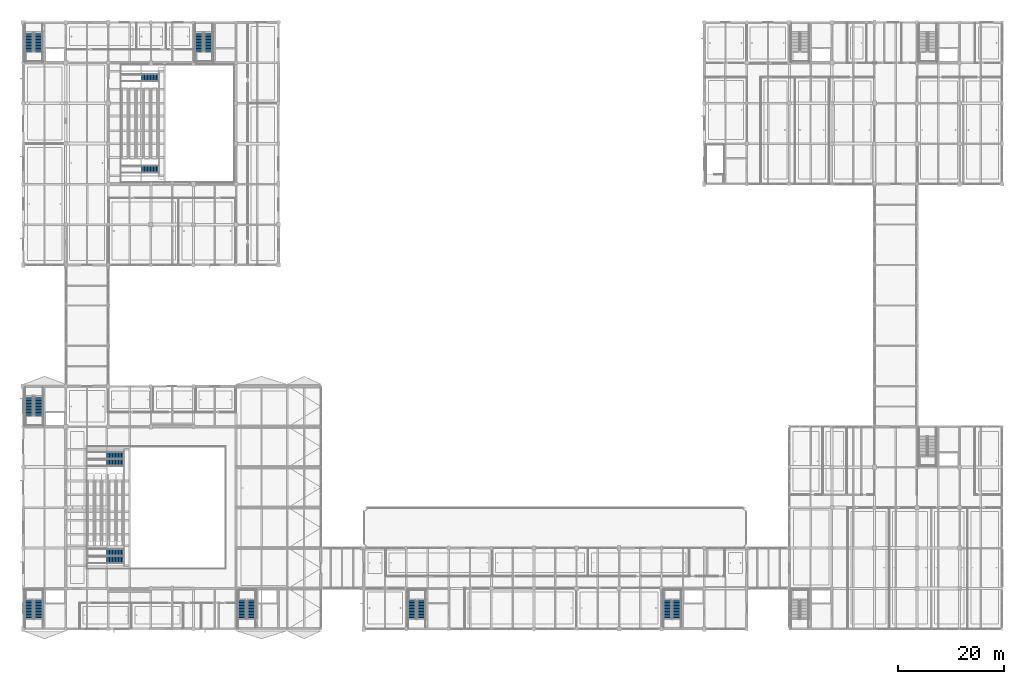
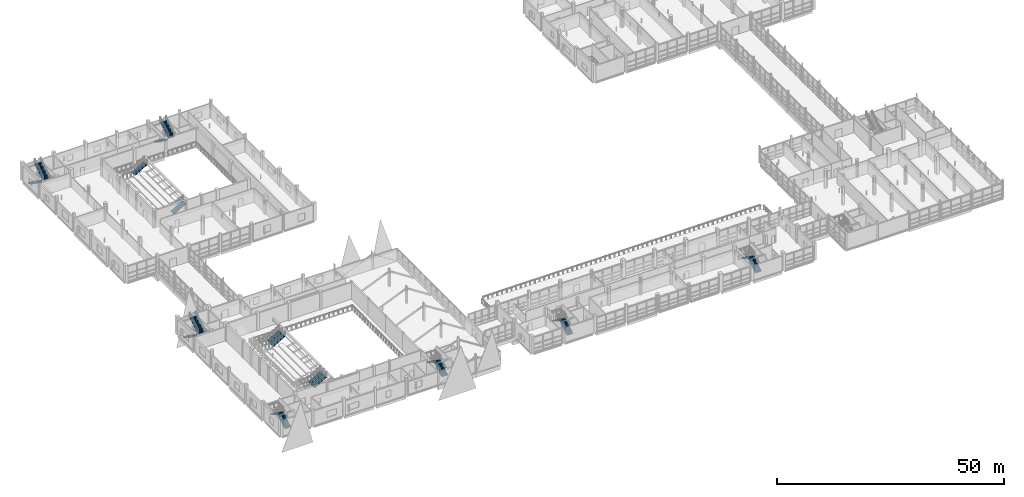
# One storey, part 96 of 147: 20 stair flights, 13 elements without a shape of their own.
"""IFC4 building model written with IfcOpenShell, lengths in metres."""

from ifc_helpers import new_model, si_unit, direction, frame, origin, place, context, subcontext, project, spatial, polyline, outline, extrude, material, type_object, element, aggregate, save


model = new_model("IFC4")

# Units and contexts
model_context = context("Model", 3, precision=1e-05, world=origin(), true_north=direction((0.0, 1.0)))
body_context = subcontext(model_context, "Body", "Model", "MODEL_VIEW")
ifc_project = project(units=[si_unit("LENGTHUNIT", "METRE"), si_unit("AREAUNIT", "SQUARE_METRE"), si_unit("VOLUMEUNIT", "CUBIC_METRE"), si_unit("PLANEANGLEUNIT", "RADIAN"), si_unit("MASSUNIT", "GRAM", prefix="KILO")], contexts=[model_context])

# Site, building, storey
site_placement = place(None, origin())
site = spatial("IfcSite", under=ifc_project, at=site_placement, CompositionType="ELEMENT")
building_placement = place(site_placement, origin())
building = spatial("IfcBuilding", under=site, at=building_placement, Name="Khelvaren Railside Concert Hall", CompositionType="ELEMENT")
storey_placement = place(building_placement, frame((0.0, 0.0, 5.39990234375)))
storey = spatial("IfcBuildingStorey", under=building, at=storey_placement, Name="L01", CompositionType="ELEMENT", Elevation=5.39990234375)

# Stair, stair flights
ifc_material_1 = material(Name="Concrete C40/50", Category="concrete")
stair_type_1 = type_object("IfcStairType", Name="ST52", PredefinedType="HALF_TURN_STAIR", material=ifc_material_1)
stair_1_placement = place(storey_placement, origin())
stair_1 = element("IfcStair", 1, at=stair_1_placement, inside=storey, type_object=stair_type_1, Name="L01 Core Exit Stair ST-01", PredefinedType="HALF_TURN_STAIR")
stair_flight_type_1 = type_object("IfcStairFlightType", Name="STF21", PredefinedType="STRAIGHT", material=ifc_material_1)
stair_flight_1_placement = place(storey_placement, frame((2.89990234375, 1.840087890625, 0.0), z_axis=(0.0, 0.0, 1.0), x_axis=(0.0, 1.0, 0.0)))
stair_flight_1 = element("IfcStairFlight", 2, at=stair_flight_1_placement, type_object=stair_flight_type_1, Name="ST-01 flight 1", NumberOfRisers=14, NumberOfTreads=13, PredefinedType="STRAIGHT", RiserHeight=0.171428571, TreadLength=0.28, context=body_context, shape_type="SweptSolid", body=[
    extrude(outline(polyline([(0.0, 0.0), (0.0, 0.17138671875), (0.280029296875, 0.17138671875), (0.280029296875, 0.3427734375), (0.56005859375, 0.3427734375), (0.56005859375, 0.514404296875), (0.840087890625, 0.514404296875), (0.840087890625, 0.685791015625), (1.1201171875, 0.685791015625), (1.1201171875, 0.857177734375), (1.39990234375, 0.857177734375), (1.39990234375, 1.028564453125), (1.679931640625, 1.028564453125), (1.679931640625, 1.199951171875), (1.9599609375, 1.199951171875), (1.9599609375, 1.371337890625), (2.239990234375, 1.371337890625), (2.239990234375, 1.54296875), (2.52001953125, 1.54296875), (2.52001953125, 1.71435546875), (2.800048828125, 1.71435546875), (2.800048828125, 1.8857421875), (3.080078125, 1.8857421875), (3.080078125, 2.05712890625), (3.360107421875, 2.05712890625), (3.360107421875, 2.228515625), (3.639892578125, 2.228515625), (3.639892578125, 2.39990234375), (3.639892578125, 2.052734375), (0.287109375, 0.0), (0.0, 0.0)])), frame((0.0, 0.800048828125, 0.0), z_axis=(0.0, -1.0, 0.0), x_axis=(1.0, 0.0, 0.0)), (0.0, 0.0, 1.0), 1.60009765625),
])
stair_flight_2_placement = place(storey_placement, frame((1.10009765625, 5.47998046875, 2.400146484375), z_axis=(0.0, 0.0, 1.0), x_axis=(0.0, -1.0, 0.0)))
stair_flight_2 = element("IfcStairFlight", 3, at=stair_flight_2_placement, type_object=stair_flight_type_1, Name="ST-01 flight 2", NumberOfRisers=14, NumberOfTreads=13, PredefinedType="STRAIGHT", RiserHeight=0.171428571, TreadLength=0.28, context=body_context, shape_type="SweptSolid", body=[
    extrude(outline(polyline([(0.0, 0.0), (0.0, 0.17138671875), (0.280029296875, 0.17138671875), (0.280029296875, 0.3427734375), (0.56005859375, 0.3427734375), (0.56005859375, 0.514404296875), (0.840087890625, 0.514404296875), (0.840087890625, 0.685791015625), (1.1201171875, 0.685791015625), (1.1201171875, 0.857177734375), (1.39990234375, 0.857177734375), (1.39990234375, 1.028564453125), (1.679931640625, 1.028564453125), (1.679931640625, 1.199951171875), (1.9599609375, 1.199951171875), (1.9599609375, 1.371337890625), (2.239990234375, 1.371337890625), (2.239990234375, 1.54296875), (2.52001953125, 1.54296875), (2.52001953125, 1.71435546875), (2.800048828125, 1.71435546875), (2.800048828125, 1.8857421875), (3.080078125, 1.8857421875), (3.080078125, 2.05712890625), (3.360107421875, 2.05712890625), (3.360107421875, 2.228515625), (3.639892578125, 2.228515625), (3.639892578125, 2.39990234375), (3.639892578125, 2.052734375), (0.287109375, 0.0), (0.0, 0.0)])), frame((0.0, 0.800048828125, 0.0), z_axis=(0.0, -1.0, 0.0), x_axis=(1.0, 0.0, 0.0)), (0.0, 0.0, 1.0), 1.60009765625),
])
aggregate(stair_1, [stair_flight_1, stair_flight_2])

stair_2_placement = place(storey_placement, origin())
stair_2 = element("IfcStair", 4, at=stair_2_placement, inside=storey, type_object=stair_type_1, Name="L01 Core Exit Stair ST-02", PredefinedType="HALF_TURN_STAIR")
stair_flight_3_placement = place(storey_placement, frame((42.89990234375, 1.840087890625, 0.0), z_axis=(0.0, 0.0, 1.0), x_axis=(0.0, 1.0, 0.0)))
stair_flight_3 = element("IfcStairFlight", 5, at=stair_flight_3_placement, type_object=stair_flight_type_1, Name="ST-02 flight 1", NumberOfRisers=14, NumberOfTreads=13, PredefinedType="STRAIGHT", RiserHeight=0.171428571, TreadLength=0.28, context=body_context, shape_type="SweptSolid", body=[
    extrude(outline(polyline([(0.0, 0.0), (0.0, 0.17138671875), (0.280029296875, 0.17138671875), (0.280029296875, 0.3427734375), (0.56005859375, 0.3427734375), (0.56005859375, 0.514404296875), (0.840087890625, 0.514404296875), (0.840087890625, 0.685791015625), (1.1201171875, 0.685791015625), (1.1201171875, 0.857177734375), (1.39990234375, 0.857177734375), (1.39990234375, 1.028564453125), (1.679931640625, 1.028564453125), (1.679931640625, 1.199951171875), (1.9599609375, 1.199951171875), (1.9599609375, 1.371337890625), (2.239990234375, 1.371337890625), (2.239990234375, 1.54296875), (2.52001953125, 1.54296875), (2.52001953125, 1.71435546875), (2.800048828125, 1.71435546875), (2.800048828125, 1.8857421875), (3.080078125, 1.8857421875), (3.080078125, 2.05712890625), (3.360107421875, 2.05712890625), (3.360107421875, 2.228515625), (3.639892578125, 2.228515625), (3.639892578125, 2.39990234375), (3.639892578125, 2.052734375), (0.287109375, 0.0), (0.0, 0.0)])), frame((0.0, 0.800048828125, 0.0), z_axis=(0.0, -1.0, 0.0), x_axis=(1.0, 0.0, 0.0)), (0.0, 0.0, 1.0), 1.60009765625),
])
stair_flight_4_placement = place(storey_placement, frame((41.10009765625, 5.47998046875, 2.400146484375), z_axis=(0.0, 0.0, 1.0), x_axis=(0.0, -1.0, 0.0)))
stair_flight_4 = element("IfcStairFlight", 6, at=stair_flight_4_placement, type_object=stair_flight_type_1, Name="ST-02 flight 2", NumberOfRisers=14, NumberOfTreads=13, PredefinedType="STRAIGHT", RiserHeight=0.171428571, TreadLength=0.28, context=body_context, shape_type="SweptSolid", body=[
    extrude(outline(polyline([(0.0, 0.0), (0.0, 0.17138671875), (0.280029296875, 0.17138671875), (0.280029296875, 0.3427734375), (0.56005859375, 0.3427734375), (0.56005859375, 0.514404296875), (0.840087890625, 0.514404296875), (0.840087890625, 0.685791015625), (1.1201171875, 0.685791015625), (1.1201171875, 0.857177734375), (1.39990234375, 0.857177734375), (1.39990234375, 1.028564453125), (1.679931640625, 1.028564453125), (1.679931640625, 1.199951171875), (1.9599609375, 1.199951171875), (1.9599609375, 1.371337890625), (2.239990234375, 1.371337890625), (2.239990234375, 1.54296875), (2.52001953125, 1.54296875), (2.52001953125, 1.71435546875), (2.800048828125, 1.71435546875), (2.800048828125, 1.8857421875), (3.080078125, 1.8857421875), (3.080078125, 2.05712890625), (3.360107421875, 2.05712890625), (3.360107421875, 2.228515625), (3.639892578125, 2.228515625), (3.639892578125, 2.39990234375), (3.639892578125, 2.052734375), (0.287109375, 0.0), (0.0, 0.0)])), frame((0.0, 0.800048828125, 0.0), z_axis=(0.0, -1.0, 0.0), x_axis=(1.0, 0.0, 0.0)), (0.0, 0.0, 1.0), 1.60009765625),
])
aggregate(stair_2, [stair_flight_3, stair_flight_4])

stair_3_placement = place(storey_placement, origin())
stair_3 = element("IfcStair", 7, at=stair_3_placement, inside=storey, type_object=stair_type_1, Name="L01 Core Exit Stair ST-11", PredefinedType="HALF_TURN_STAIR")
stair_flight_5_placement = place(storey_placement, frame((1.10009765625, 43.760009765625, 0.0), z_axis=(0.0, 0.0, 1.0), x_axis=(0.0, -1.0, 0.0)))
stair_flight_5 = element("IfcStairFlight", 8, at=stair_flight_5_placement, type_object=stair_flight_type_1, Name="ST-11 flight 1", NumberOfRisers=14, NumberOfTreads=13, PredefinedType="STRAIGHT", RiserHeight=0.171428571, TreadLength=0.28, context=body_context, shape_type="SweptSolid", body=[
    extrude(outline(polyline([(0.0, 0.0), (0.0, 0.17138671875), (0.280029296875, 0.17138671875), (0.280029296875, 0.3427734375), (0.56005859375, 0.3427734375), (0.56005859375, 0.514404296875), (0.840087890625, 0.514404296875), (0.840087890625, 0.685791015625), (1.1201171875, 0.685791015625), (1.1201171875, 0.857177734375), (1.39990234375, 0.857177734375), (1.39990234375, 1.028564453125), (1.679931640625, 1.028564453125), (1.679931640625, 1.199951171875), (1.9599609375, 1.199951171875), (1.9599609375, 1.371337890625), (2.239990234375, 1.371337890625), (2.239990234375, 1.54296875), (2.52001953125, 1.54296875), (2.52001953125, 1.71435546875), (2.800048828125, 1.71435546875), (2.800048828125, 1.8857421875), (3.080078125, 1.8857421875), (3.080078125, 2.05712890625), (3.360107421875, 2.05712890625), (3.360107421875, 2.228515625), (3.639892578125, 2.228515625), (3.639892578125, 2.39990234375), (3.639892578125, 2.052734375), (0.287109375, 0.0), (0.0, 0.0)])), frame((0.0, 0.800048828125, 0.0), z_axis=(0.0, -1.0, 0.0), x_axis=(1.0, 0.0, 0.0)), (0.0, 0.0, 1.0), 1.60009765625),
])
stair_flight_6_placement = place(storey_placement, frame((2.89990234375, 40.1201171875, 2.400146484375), z_axis=(0.0, 0.0, 1.0), x_axis=(0.0, 1.0, 0.0)))
stair_flight_6 = element("IfcStairFlight", 9, at=stair_flight_6_placement, type_object=stair_flight_type_1, Name="ST-11 flight 2", NumberOfRisers=14, NumberOfTreads=13, PredefinedType="STRAIGHT", RiserHeight=0.171428571, TreadLength=0.28, context=body_context, shape_type="SweptSolid", body=[
    extrude(outline(polyline([(0.0, 0.0), (0.0, 0.17138671875), (0.280029296875, 0.17138671875), (0.280029296875, 0.3427734375), (0.56005859375, 0.3427734375), (0.56005859375, 0.514404296875), (0.840087890625, 0.514404296875), (0.840087890625, 0.685791015625), (1.1201171875, 0.685791015625), (1.1201171875, 0.857177734375), (1.39990234375, 0.857177734375), (1.39990234375, 1.028564453125), (1.679931640625, 1.028564453125), (1.679931640625, 1.199951171875), (1.9599609375, 1.199951171875), (1.9599609375, 1.371337890625), (2.239990234375, 1.371337890625), (2.239990234375, 1.54296875), (2.52001953125, 1.54296875), (2.52001953125, 1.71435546875), (2.800048828125, 1.71435546875), (2.800048828125, 1.8857421875), (3.080078125, 1.8857421875), (3.080078125, 2.05712890625), (3.360107421875, 2.05712890625), (3.360107421875, 2.228515625), (3.639892578125, 2.228515625), (3.639892578125, 2.39990234375), (3.639892578125, 2.052734375), (0.287109375, 0.0), (0.0, 0.0)])), frame((0.0, 0.800048828125, 0.0), z_axis=(0.0, -1.0, 0.0), x_axis=(1.0, 0.0, 0.0)), (0.0, 0.0, 1.0), 1.60009765625),
])
aggregate(stair_3, [stair_flight_5, stair_flight_6])

stair_type_2 = type_object("IfcStairType", Name="ST70", PredefinedType="HALF_TURN_STAIR", material=ifc_material_1)
stair_4_placement = place(storey_placement, origin())
stair_4 = element("IfcStair", 10, at=stair_4_placement, inside=storey, type_object=stair_type_2, Name="L01 Core Exit Stair ST-05", PredefinedType="HALF_TURN_STAIR")
stair_flight_type_2 = type_object("IfcStairFlightType", Name="STF24", PredefinedType="STRAIGHT", material=ifc_material_1)
stair_flight_7_placement = place(storey_placement, frame((74.840087890625, 1.840087890625, 0.0), z_axis=(0.0, 0.0, 1.0), x_axis=(0.0, 1.0, 0.0)))
stair_flight_7 = element("IfcStairFlight", 11, at=stair_flight_7_placement, type_object=stair_flight_type_2, Name="ST-05 flight 1", NumberOfRisers=14, NumberOfTreads=13, PredefinedType="STRAIGHT", RiserHeight=0.171428571, TreadLength=0.28, context=body_context, shape_type="SweptSolid", body=[
    extrude(outline(polyline([(0.0, 0.0), (0.0, 0.17138671875), (0.280029296875, 0.17138671875), (0.280029296875, 0.3427734375), (0.56005859375, 0.3427734375), (0.56005859375, 0.514404296875), (0.840087890625, 0.514404296875), (0.840087890625, 0.685791015625), (1.1201171875, 0.685791015625), (1.1201171875, 0.857177734375), (1.39990234375, 0.857177734375), (1.39990234375, 1.028564453125), (1.679931640625, 1.028564453125), (1.679931640625, 1.199951171875), (1.9599609375, 1.199951171875), (1.9599609375, 1.371337890625), (2.239990234375, 1.371337890625), (2.239990234375, 1.54296875), (2.52001953125, 1.54296875), (2.52001953125, 1.71435546875), (2.800048828125, 1.71435546875), (2.800048828125, 1.8857421875), (3.080078125, 1.8857421875), (3.080078125, 2.05712890625), (3.360107421875, 2.05712890625), (3.360107421875, 2.228515625), (3.639892578125, 2.228515625), (3.639892578125, 2.39990234375), (3.639892578125, 2.052734375), (0.287109375, 0.0), (0.0, 0.0)])), frame((0.0, 0.780029296875, 0.0), z_axis=(0.0, -1.0, 0.0), x_axis=(1.0, 0.0, 0.0)), (0.0, 0.0, 1.0), 1.56005859375),
])
stair_flight_8_placement = place(storey_placement, frame((73.080078125, 5.47998046875, 2.400146484375), z_axis=(0.0, 0.0, 1.0), x_axis=(0.0, -1.0, 0.0)))
stair_flight_8 = element("IfcStairFlight", 12, at=stair_flight_8_placement, type_object=stair_flight_type_2, Name="ST-05 flight 2", NumberOfRisers=14, NumberOfTreads=13, PredefinedType="STRAIGHT", RiserHeight=0.171428571, TreadLength=0.28, context=body_context, shape_type="SweptSolid", body=[
    extrude(outline(polyline([(0.0, 0.0), (0.0, 0.17138671875), (0.280029296875, 0.17138671875), (0.280029296875, 0.3427734375), (0.56005859375, 0.3427734375), (0.56005859375, 0.514404296875), (0.840087890625, 0.514404296875), (0.840087890625, 0.685791015625), (1.1201171875, 0.685791015625), (1.1201171875, 0.857177734375), (1.39990234375, 0.857177734375), (1.39990234375, 1.028564453125), (1.679931640625, 1.028564453125), (1.679931640625, 1.199951171875), (1.9599609375, 1.199951171875), (1.9599609375, 1.371337890625), (2.239990234375, 1.371337890625), (2.239990234375, 1.54296875), (2.52001953125, 1.54296875), (2.52001953125, 1.71435546875), (2.800048828125, 1.71435546875), (2.800048828125, 1.8857421875), (3.080078125, 1.8857421875), (3.080078125, 2.05712890625), (3.360107421875, 2.05712890625), (3.360107421875, 2.228515625), (3.639892578125, 2.228515625), (3.639892578125, 2.39990234375), (3.639892578125, 2.052734375), (0.287109375, 0.0), (0.0, 0.0)])), frame((0.0, 0.780029296875, 0.0), z_axis=(0.0, -1.0, 0.0), x_axis=(1.0, 0.0, 0.0)), (0.0, 0.0, 1.0), 1.56005859375),
])
aggregate(stair_4, [stair_flight_7, stair_flight_8])

stair_5_placement = place(storey_placement, origin())
stair_5 = element("IfcStair", 13, at=stair_5_placement, inside=storey, type_object=stair_type_2, Name="L01 Core Exit Stair ST-06", PredefinedType="HALF_TURN_STAIR")
stair_flight_9_placement = place(storey_placement, frame((122.840087890625, 1.840087890625, 0.0), z_axis=(0.0, 0.0, 1.0), x_axis=(0.0, 1.0, 0.0)))
stair_flight_9 = element("IfcStairFlight", 14, at=stair_flight_9_placement, type_object=stair_flight_type_2, Name="ST-06 flight 1", NumberOfRisers=14, NumberOfTreads=13, PredefinedType="STRAIGHT", RiserHeight=0.171428571, TreadLength=0.28, context=body_context, shape_type="SweptSolid", body=[
    extrude(outline(polyline([(0.0, 0.0), (0.0, 0.17138671875), (0.280029296875, 0.17138671875), (0.280029296875, 0.3427734375), (0.56005859375, 0.3427734375), (0.56005859375, 0.514404296875), (0.840087890625, 0.514404296875), (0.840087890625, 0.685791015625), (1.1201171875, 0.685791015625), (1.1201171875, 0.857177734375), (1.39990234375, 0.857177734375), (1.39990234375, 1.028564453125), (1.679931640625, 1.028564453125), (1.679931640625, 1.199951171875), (1.9599609375, 1.199951171875), (1.9599609375, 1.371337890625), (2.239990234375, 1.371337890625), (2.239990234375, 1.54296875), (2.52001953125, 1.54296875), (2.52001953125, 1.71435546875), (2.800048828125, 1.71435546875), (2.800048828125, 1.8857421875), (3.080078125, 1.8857421875), (3.080078125, 2.05712890625), (3.360107421875, 2.05712890625), (3.360107421875, 2.228515625), (3.639892578125, 2.228515625), (3.639892578125, 2.39990234375), (3.639892578125, 2.052734375), (0.287109375, 0.0), (0.0, 0.0)])), frame((0.0, 0.780029296875, 0.0), z_axis=(0.0, -1.0, 0.0), x_axis=(1.0, 0.0, 0.0)), (0.0, 0.0, 1.0), 1.56005859375),
])
stair_flight_10_placement = place(storey_placement, frame((121.080078125, 5.47998046875, 2.400146484375), z_axis=(0.0, 0.0, 1.0), x_axis=(0.0, -1.0, 0.0)))
stair_flight_10 = element("IfcStairFlight", 15, at=stair_flight_10_placement, type_object=stair_flight_type_2, Name="ST-06 flight 2", NumberOfRisers=14, NumberOfTreads=13, PredefinedType="STRAIGHT", RiserHeight=0.171428571, TreadLength=0.28, context=body_context, shape_type="SweptSolid", body=[
    extrude(outline(polyline([(0.0, 0.0), (0.0, 0.17138671875), (0.280029296875, 0.17138671875), (0.280029296875, 0.3427734375), (0.56005859375, 0.3427734375), (0.56005859375, 0.514404296875), (0.840087890625, 0.514404296875), (0.840087890625, 0.685791015625), (1.1201171875, 0.685791015625), (1.1201171875, 0.857177734375), (1.39990234375, 0.857177734375), (1.39990234375, 1.028564453125), (1.679931640625, 1.028564453125), (1.679931640625, 1.199951171875), (1.9599609375, 1.199951171875), (1.9599609375, 1.371337890625), (2.239990234375, 1.371337890625), (2.239990234375, 1.54296875), (2.52001953125, 1.54296875), (2.52001953125, 1.71435546875), (2.800048828125, 1.71435546875), (2.800048828125, 1.8857421875), (3.080078125, 1.8857421875), (3.080078125, 2.05712890625), (3.360107421875, 2.05712890625), (3.360107421875, 2.228515625), (3.639892578125, 2.228515625), (3.639892578125, 2.39990234375), (3.639892578125, 2.052734375), (0.287109375, 0.0), (0.0, 0.0)])), frame((0.0, 0.780029296875, 0.0), z_axis=(0.0, -1.0, 0.0), x_axis=(1.0, 0.0, 0.0)), (0.0, 0.0, 1.0), 1.56005859375),
])
aggregate(stair_5, [stair_flight_9, stair_flight_10])

stair_6_placement = place(storey_placement, origin())
stair_6 = element("IfcStair", 16, at=stair_6_placement, inside=storey, type_object=stair_type_2, Name="L01 Core Exit Stair ST-07", PredefinedType="HALF_TURN_STAIR")
stair_flight_11_placement = place(storey_placement, frame((1.080078125, 112.159912109375, 0.0), z_axis=(0.0, 0.0, 1.0), x_axis=(0.0, -1.0, 0.0)))
stair_flight_11 = element("IfcStairFlight", 17, at=stair_flight_11_placement, type_object=stair_flight_type_2, Name="ST-07 flight 1", NumberOfRisers=14, NumberOfTreads=13, PredefinedType="STRAIGHT", RiserHeight=0.171428571, TreadLength=0.28, context=body_context, shape_type="SweptSolid", body=[
    extrude(outline(polyline([(0.0, 0.0), (0.0, 0.17138671875), (0.280029296875, 0.17138671875), (0.280029296875, 0.3427734375), (0.56005859375, 0.3427734375), (0.56005859375, 0.514404296875), (0.840087890625, 0.514404296875), (0.840087890625, 0.685791015625), (1.1201171875, 0.685791015625), (1.1201171875, 0.857177734375), (1.39990234375, 0.857177734375), (1.39990234375, 1.028564453125), (1.679931640625, 1.028564453125), (1.679931640625, 1.199951171875), (1.9599609375, 1.199951171875), (1.9599609375, 1.371337890625), (2.239990234375, 1.371337890625), (2.239990234375, 1.54296875), (2.52001953125, 1.54296875), (2.52001953125, 1.71435546875), (2.800048828125, 1.71435546875), (2.800048828125, 1.8857421875), (3.080078125, 1.8857421875), (3.080078125, 2.05712890625), (3.360107421875, 2.05712890625), (3.360107421875, 2.228515625), (3.639892578125, 2.228515625), (3.639892578125, 2.39990234375), (3.639892578125, 2.052734375), (0.287109375, 0.0), (0.0, 0.0)])), frame((0.0, 0.780029296875, 0.0), z_axis=(0.0, -1.0, 0.0), x_axis=(1.0, 0.0, 0.0)), (0.0, 0.0, 1.0), 1.56005859375),
])
stair_flight_12_placement = place(storey_placement, frame((2.840087890625, 108.52001953125, 2.400146484375), z_axis=(0.0, 0.0, 1.0), x_axis=(0.0, 1.0, 0.0)))
stair_flight_12 = element("IfcStairFlight", 18, at=stair_flight_12_placement, type_object=stair_flight_type_2, Name="ST-07 flight 2", NumberOfRisers=14, NumberOfTreads=13, PredefinedType="STRAIGHT", RiserHeight=0.171428571, TreadLength=0.28, context=body_context, shape_type="SweptSolid", body=[
    extrude(outline(polyline([(0.0, 0.0), (0.0, 0.17138671875), (0.280029296875, 0.17138671875), (0.280029296875, 0.3427734375), (0.56005859375, 0.3427734375), (0.56005859375, 0.514404296875), (0.840087890625, 0.514404296875), (0.840087890625, 0.685791015625), (1.1201171875, 0.685791015625), (1.1201171875, 0.857177734375), (1.39990234375, 0.857177734375), (1.39990234375, 1.028564453125), (1.679931640625, 1.028564453125), (1.679931640625, 1.199951171875), (1.9599609375, 1.199951171875), (1.9599609375, 1.371337890625), (2.239990234375, 1.371337890625), (2.239990234375, 1.54296875), (2.52001953125, 1.54296875), (2.52001953125, 1.71435546875), (2.800048828125, 1.71435546875), (2.800048828125, 1.8857421875), (3.080078125, 1.8857421875), (3.080078125, 2.05712890625), (3.360107421875, 2.05712890625), (3.360107421875, 2.228515625), (3.639892578125, 2.228515625), (3.639892578125, 2.39990234375), (3.639892578125, 2.052734375), (0.287109375, 0.0), (0.0, 0.0)])), frame((0.0, 0.780029296875, 0.0), z_axis=(0.0, -1.0, 0.0), x_axis=(1.0, 0.0, 0.0)), (0.0, 0.0, 1.0), 1.56005859375),
])
aggregate(stair_6, [stair_flight_11, stair_flight_12])

stair_7_placement = place(storey_placement, origin())
stair_7 = element("IfcStair", 19, at=stair_7_placement, inside=storey, type_object=stair_type_2, Name="L01 Core Exit Stair ST-08", PredefinedType="HALF_TURN_STAIR")
stair_flight_13_placement = place(storey_placement, frame((33.080078125, 112.159912109375, 0.0), z_axis=(0.0, 0.0, 1.0), x_axis=(0.0, -1.0, 0.0)))
stair_flight_13 = element("IfcStairFlight", 20, at=stair_flight_13_placement, type_object=stair_flight_type_2, Name="ST-08 flight 1", NumberOfRisers=14, NumberOfTreads=13, PredefinedType="STRAIGHT", RiserHeight=0.171428571, TreadLength=0.28, context=body_context, shape_type="SweptSolid", body=[
    extrude(outline(polyline([(0.0, 0.0), (0.0, 0.17138671875), (0.280029296875, 0.17138671875), (0.280029296875, 0.3427734375), (0.56005859375, 0.3427734375), (0.56005859375, 0.514404296875), (0.840087890625, 0.514404296875), (0.840087890625, 0.685791015625), (1.1201171875, 0.685791015625), (1.1201171875, 0.857177734375), (1.39990234375, 0.857177734375), (1.39990234375, 1.028564453125), (1.679931640625, 1.028564453125), (1.679931640625, 1.199951171875), (1.9599609375, 1.199951171875), (1.9599609375, 1.371337890625), (2.239990234375, 1.371337890625), (2.239990234375, 1.54296875), (2.52001953125, 1.54296875), (2.52001953125, 1.71435546875), (2.800048828125, 1.71435546875), (2.800048828125, 1.8857421875), (3.080078125, 1.8857421875), (3.080078125, 2.05712890625), (3.360107421875, 2.05712890625), (3.360107421875, 2.228515625), (3.639892578125, 2.228515625), (3.639892578125, 2.39990234375), (3.639892578125, 2.052734375), (0.287109375, 0.0), (0.0, 0.0)])), frame((0.0, 0.780029296875, 0.0), z_axis=(0.0, -1.0, 0.0), x_axis=(1.0, 0.0, 0.0)), (0.0, 0.0, 1.0), 1.56005859375),
])
stair_flight_14_placement = place(storey_placement, frame((34.840087890625, 108.52001953125, 2.400146484375), z_axis=(0.0, 0.0, 1.0), x_axis=(0.0, 1.0, 0.0)))
stair_flight_14 = element("IfcStairFlight", 21, at=stair_flight_14_placement, type_object=stair_flight_type_2, Name="ST-08 flight 2", NumberOfRisers=14, NumberOfTreads=13, PredefinedType="STRAIGHT", RiserHeight=0.171428571, TreadLength=0.28, context=body_context, shape_type="SweptSolid", body=[
    extrude(outline(polyline([(0.0, 0.0), (0.0, 0.17138671875), (0.280029296875, 0.17138671875), (0.280029296875, 0.3427734375), (0.56005859375, 0.3427734375), (0.56005859375, 0.514404296875), (0.840087890625, 0.514404296875), (0.840087890625, 0.685791015625), (1.1201171875, 0.685791015625), (1.1201171875, 0.857177734375), (1.39990234375, 0.857177734375), (1.39990234375, 1.028564453125), (1.679931640625, 1.028564453125), (1.679931640625, 1.199951171875), (1.9599609375, 1.199951171875), (1.9599609375, 1.371337890625), (2.239990234375, 1.371337890625), (2.239990234375, 1.54296875), (2.52001953125, 1.54296875), (2.52001953125, 1.71435546875), (2.800048828125, 1.71435546875), (2.800048828125, 1.8857421875), (3.080078125, 1.8857421875), (3.080078125, 2.05712890625), (3.360107421875, 2.05712890625), (3.360107421875, 2.228515625), (3.639892578125, 2.228515625), (3.639892578125, 2.39990234375), (3.639892578125, 2.052734375), (0.287109375, 0.0), (0.0, 0.0)])), frame((0.0, 0.780029296875, 0.0), z_axis=(0.0, -1.0, 0.0), x_axis=(1.0, 0.0, 0.0)), (0.0, 0.0, 1.0), 1.56005859375),
])
aggregate(stair_7, [stair_flight_13, stair_flight_14])

# Stair, stair flight
ifc_material_2 = material(Name="Precast architectural concrete C40/50", Category="concrete")
stair_type_3 = type_object("IfcStairType", Name="VST15", PredefinedType="STRAIGHT_RUN_STAIR", material=ifc_material_2)
stair_8_placement = place(storey_placement, origin())
stair_8 = element("IfcStair", 22, at=stair_8_placement, inside=storey, type_object=stair_type_3, Name="Auditorium Vomitory Stair ST-17", PredefinedType="STRAIGHT_RUN_STAIR")
stair_flight_type_3 = type_object("IfcStairFlightType", Name="VSTF62", PredefinedType="STRAIGHT", material=ifc_material_2)
stair_flight_15_placement = place(storey_placement, frame((15.669921875, 13.0, 0.0), z_axis=(0.0, 0.0, 1.0), x_axis=(1.0, 0.0, 0.0)))
stair_flight_15 = element("IfcStairFlight", 23, at=stair_flight_15_placement, type_object=stair_flight_type_3, Name="ST-17 flight 1", NumberOfRisers=12, NumberOfTreads=11, PredefinedType="STRAIGHT", RiserHeight=0.17, TreadLength=0.28, context=body_context, shape_type="SweptSolid", body=[
    extrude(outline(polyline([(0.0, 0.0), (0.0, 0.169921875), (0.280029296875, 0.169921875), (0.280029296875, 0.340087890625), (0.56005859375, 0.340087890625), (0.56005859375, 0.510009765625), (0.840087890625, 0.510009765625), (0.840087890625, 0.679931640625), (1.1201171875, 0.679931640625), (1.1201171875, 0.85009765625), (1.39990234375, 0.85009765625), (1.39990234375, 1.02001953125), (1.679931640625, 1.02001953125), (1.679931640625, 1.18994140625), (1.9599609375, 1.18994140625), (1.9599609375, 1.360107421875), (2.239990234375, 1.360107421875), (2.239990234375, 1.530029296875), (2.52001953125, 1.530029296875), (2.52001953125, 1.699951171875), (2.800048828125, 1.699951171875), (2.800048828125, 1.8701171875), (3.080078125, 1.8701171875), (3.080078125, 2.0400390625), (3.080078125, 1.694580078125), (0.288818359375, 0.0), (0.0, 0.0)])), frame((0.0, 0.699951171875, 0.0), z_axis=(0.0, -1.0, 0.0), x_axis=(1.0, 0.0, 0.0)), (0.0, 0.0, 1.0), 1.39990234375),
])
aggregate(stair_8, [stair_flight_15])

stair_9_placement = place(storey_placement, origin())
stair_9 = element("IfcStair", 24, at=stair_9_placement, inside=storey, type_object=stair_type_3, Name="Auditorium Vomitory Stair ST-18", PredefinedType="STRAIGHT_RUN_STAIR")
stair_flight_16_placement = place(storey_placement, frame((15.669921875, 14.35009765625, 0.0), z_axis=(0.0, 0.0, 1.0), x_axis=(1.0, 0.0, 0.0)))
stair_flight_16 = element("IfcStairFlight", 25, at=stair_flight_16_placement, type_object=stair_flight_type_3, Name="ST-18 flight 1", NumberOfRisers=12, NumberOfTreads=11, PredefinedType="STRAIGHT", RiserHeight=0.17, TreadLength=0.28, context=body_context, shape_type="SweptSolid", body=[
    extrude(outline(polyline([(0.0, 0.0), (0.0, 0.169921875), (0.280029296875, 0.169921875), (0.280029296875, 0.340087890625), (0.56005859375, 0.340087890625), (0.56005859375, 0.510009765625), (0.840087890625, 0.510009765625), (0.840087890625, 0.679931640625), (1.1201171875, 0.679931640625), (1.1201171875, 0.85009765625), (1.39990234375, 0.85009765625), (1.39990234375, 1.02001953125), (1.679931640625, 1.02001953125), (1.679931640625, 1.18994140625), (1.9599609375, 1.18994140625), (1.9599609375, 1.360107421875), (2.239990234375, 1.360107421875), (2.239990234375, 1.530029296875), (2.52001953125, 1.530029296875), (2.52001953125, 1.699951171875), (2.800048828125, 1.699951171875), (2.800048828125, 1.8701171875), (3.080078125, 1.8701171875), (3.080078125, 2.0400390625), (3.080078125, 1.694580078125), (0.288818359375, 0.0), (0.0, 0.0)])), frame((0.0, 0.699951171875, 0.0), z_axis=(0.0, -1.0, 0.0), x_axis=(1.0, 0.0, 0.0)), (0.0, 0.0, 1.0), 1.39990234375),
])
aggregate(stair_9, [stair_flight_16])

stair_10_placement = place(storey_placement, origin())
stair_10 = element("IfcStair", 26, at=stair_10_placement, inside=storey, type_object=stair_type_3, Name="Auditorium Vomitory Stair ST-19", PredefinedType="STRAIGHT_RUN_STAIR")
stair_flight_17_placement = place(storey_placement, frame((15.669921875, 31.25, 0.0), z_axis=(0.0, 0.0, 1.0), x_axis=(1.0, 0.0, 0.0)))
stair_flight_17 = element("IfcStairFlight", 27, at=stair_flight_17_placement, type_object=stair_flight_type_3, Name="ST-19 flight 1", NumberOfRisers=12, NumberOfTreads=11, PredefinedType="STRAIGHT", RiserHeight=0.17, TreadLength=0.28, context=body_context, shape_type="SweptSolid", body=[
    extrude(outline(polyline([(0.0, 0.0), (0.0, 0.169921875), (0.280029296875, 0.169921875), (0.280029296875, 0.340087890625), (0.56005859375, 0.340087890625), (0.56005859375, 0.510009765625), (0.840087890625, 0.510009765625), (0.840087890625, 0.679931640625), (1.1201171875, 0.679931640625), (1.1201171875, 0.85009765625), (1.39990234375, 0.85009765625), (1.39990234375, 1.02001953125), (1.679931640625, 1.02001953125), (1.679931640625, 1.18994140625), (1.9599609375, 1.18994140625), (1.9599609375, 1.360107421875), (2.239990234375, 1.360107421875), (2.239990234375, 1.530029296875), (2.52001953125, 1.530029296875), (2.52001953125, 1.699951171875), (2.800048828125, 1.699951171875), (2.800048828125, 1.8701171875), (3.080078125, 1.8701171875), (3.080078125, 2.0400390625), (3.080078125, 1.694580078125), (0.288818359375, 0.0), (0.0, 0.0)])), frame((0.0, 0.699951171875, 0.0), z_axis=(0.0, -1.0, 0.0), x_axis=(1.0, 0.0, 0.0)), (0.0, 0.0, 1.0), 1.39990234375),
])
aggregate(stair_10, [stair_flight_17])

stair_11_placement = place(storey_placement, origin())
stair_11 = element("IfcStair", 28, at=stair_11_placement, inside=storey, type_object=stair_type_3, Name="Auditorium Vomitory Stair ST-20", PredefinedType="STRAIGHT_RUN_STAIR")
stair_flight_18_placement = place(storey_placement, frame((15.669921875, 32.60009765625, 0.0), z_axis=(0.0, 0.0, 1.0), x_axis=(1.0, 0.0, 0.0)))
stair_flight_18 = element("IfcStairFlight", 29, at=stair_flight_18_placement, type_object=stair_flight_type_3, Name="ST-20 flight 1", NumberOfRisers=12, NumberOfTreads=11, PredefinedType="STRAIGHT", RiserHeight=0.17, TreadLength=0.28, context=body_context, shape_type="SweptSolid", body=[
    extrude(outline(polyline([(0.0, 0.0), (0.0, 0.169921875), (0.280029296875, 0.169921875), (0.280029296875, 0.340087890625), (0.56005859375, 0.340087890625), (0.56005859375, 0.510009765625), (0.840087890625, 0.510009765625), (0.840087890625, 0.679931640625), (1.1201171875, 0.679931640625), (1.1201171875, 0.85009765625), (1.39990234375, 0.85009765625), (1.39990234375, 1.02001953125), (1.679931640625, 1.02001953125), (1.679931640625, 1.18994140625), (1.9599609375, 1.18994140625), (1.9599609375, 1.360107421875), (2.239990234375, 1.360107421875), (2.239990234375, 1.530029296875), (2.52001953125, 1.530029296875), (2.52001953125, 1.699951171875), (2.800048828125, 1.699951171875), (2.800048828125, 1.8701171875), (3.080078125, 1.8701171875), (3.080078125, 2.0400390625), (3.080078125, 1.694580078125), (0.288818359375, 0.0), (0.0, 0.0)])), frame((0.0, 0.699951171875, 0.0), z_axis=(0.0, -1.0, 0.0), x_axis=(1.0, 0.0, 0.0)), (0.0, 0.0, 1.0), 1.39990234375),
])
aggregate(stair_11, [stair_flight_18])

stair_12_placement = place(storey_placement, origin())
stair_12 = element("IfcStair", 30, at=stair_12_placement, inside=storey, type_object=stair_type_3, Name="Auditorium Vomitory Stair ST-25", PredefinedType="STRAIGHT_RUN_STAIR")
stair_flight_19_placement = place(storey_placement, frame((22.219970703125, 86.39990234375, 0.0), z_axis=(0.0, 0.0, 1.0), x_axis=(1.0, 0.0, 0.0)))
stair_flight_19 = element("IfcStairFlight", 31, at=stair_flight_19_placement, type_object=stair_flight_type_3, Name="ST-25 flight 1", NumberOfRisers=12, NumberOfTreads=11, PredefinedType="STRAIGHT", RiserHeight=0.17, TreadLength=0.28, context=body_context, shape_type="SweptSolid", body=[
    extrude(outline(polyline([(0.0, 0.0), (0.0, 0.169921875), (0.280029296875, 0.169921875), (0.280029296875, 0.340087890625), (0.56005859375, 0.340087890625), (0.56005859375, 0.510009765625), (0.840087890625, 0.510009765625), (0.840087890625, 0.679931640625), (1.1201171875, 0.679931640625), (1.1201171875, 0.85009765625), (1.39990234375, 0.85009765625), (1.39990234375, 1.02001953125), (1.679931640625, 1.02001953125), (1.679931640625, 1.18994140625), (1.9599609375, 1.18994140625), (1.9599609375, 1.360107421875), (2.239990234375, 1.360107421875), (2.239990234375, 1.530029296875), (2.52001953125, 1.530029296875), (2.52001953125, 1.699951171875), (2.800048828125, 1.699951171875), (2.800048828125, 1.8701171875), (3.080078125, 1.8701171875), (3.080078125, 2.0400390625), (3.080078125, 1.694580078125), (0.288818359375, 0.0), (0.0, 0.0)])), frame((0.0, 0.699951171875, 0.0), z_axis=(0.0, -1.0, 0.0), x_axis=(1.0, 0.0, 0.0)), (0.0, 0.0, 1.0), 1.39990234375),
])
aggregate(stair_12, [stair_flight_19])

stair_13_placement = place(storey_placement, origin())
stair_13 = element("IfcStair", 32, at=stair_13_placement, inside=storey, type_object=stair_type_3, Name="Auditorium Vomitory Stair ST-26", PredefinedType="STRAIGHT_RUN_STAIR")
stair_flight_20_placement = place(storey_placement, frame((22.219970703125, 103.60009765625, 0.0), z_axis=(0.0, 0.0, 1.0), x_axis=(1.0, 0.0, 0.0)))
stair_flight_20 = element("IfcStairFlight", 33, at=stair_flight_20_placement, type_object=stair_flight_type_3, Name="ST-26 flight 1", NumberOfRisers=12, NumberOfTreads=11, PredefinedType="STRAIGHT", RiserHeight=0.17, TreadLength=0.28, context=body_context, shape_type="SweptSolid", body=[
    extrude(outline(polyline([(0.0, 0.0), (0.0, 0.169921875), (0.280029296875, 0.169921875), (0.280029296875, 0.340087890625), (0.56005859375, 0.340087890625), (0.56005859375, 0.510009765625), (0.840087890625, 0.510009765625), (0.840087890625, 0.679931640625), (1.1201171875, 0.679931640625), (1.1201171875, 0.85009765625), (1.39990234375, 0.85009765625), (1.39990234375, 1.02001953125), (1.679931640625, 1.02001953125), (1.679931640625, 1.18994140625), (1.9599609375, 1.18994140625), (1.9599609375, 1.360107421875), (2.239990234375, 1.360107421875), (2.239990234375, 1.530029296875), (2.52001953125, 1.530029296875), (2.52001953125, 1.699951171875), (2.800048828125, 1.699951171875), (2.800048828125, 1.8701171875), (3.080078125, 1.8701171875), (3.080078125, 2.0400390625), (3.080078125, 1.694580078125), (0.288818359375, 0.0), (0.0, 0.0)])), frame((0.0, 0.699951171875, 0.0), z_axis=(0.0, -1.0, 0.0), x_axis=(1.0, 0.0, 0.0)), (0.0, 0.0, 1.0), 1.39990234375),
])
aggregate(stair_13, [stair_flight_20])

save(model, "model.ifc")
